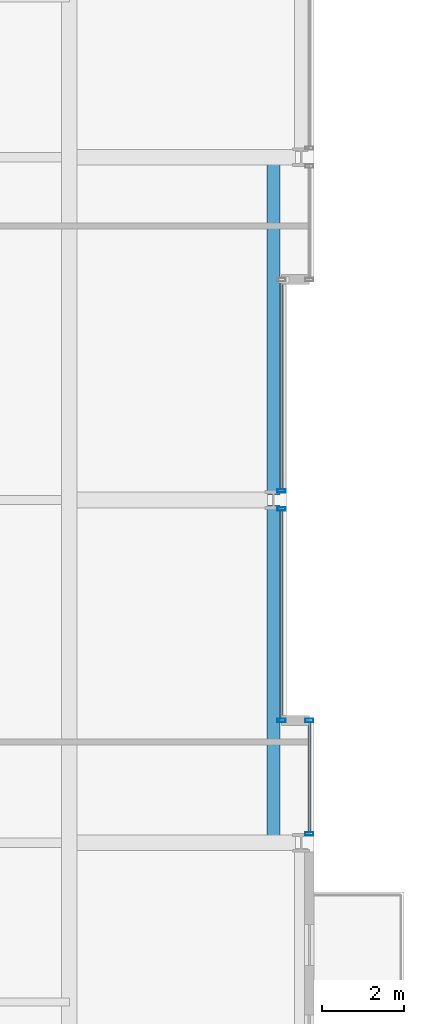
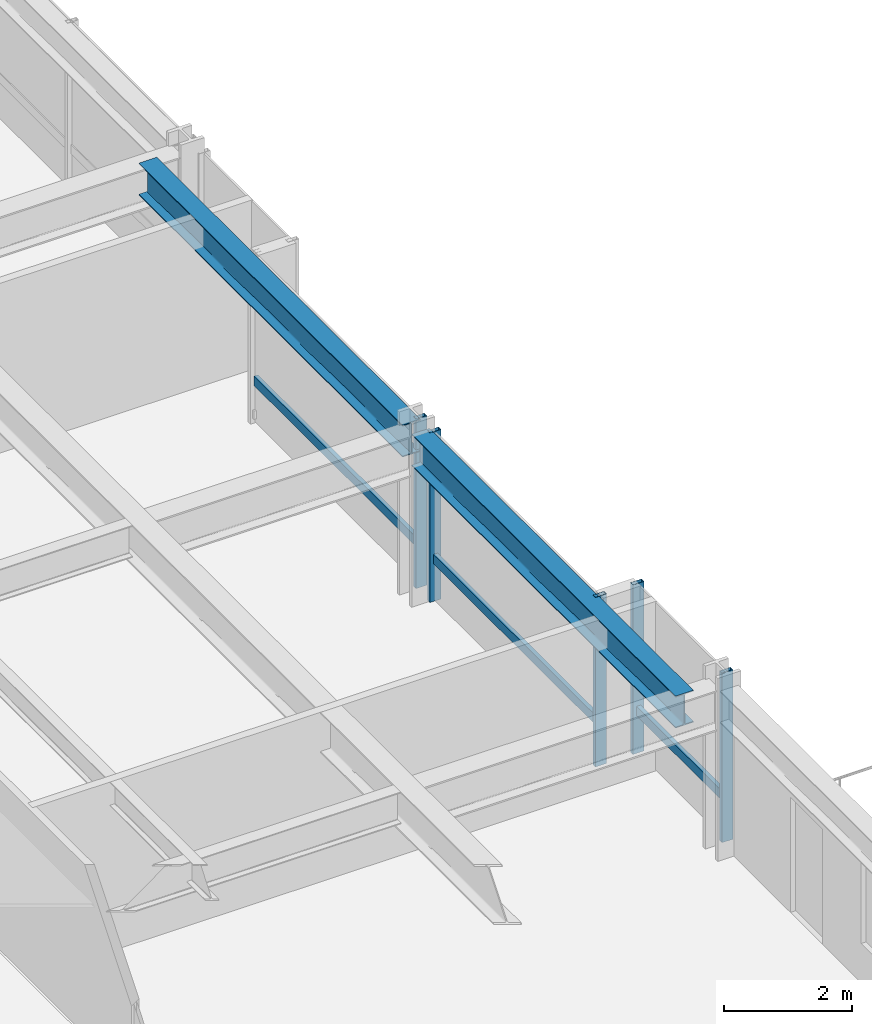
# One storey, part 15 of 34: 8 members, 2 beams, 3 elements without a shape of their own.
"""IFC4 building model written with IfcOpenShell, lengths in metres."""

from ifc_helpers import new_model, si_unit, direction, frame, origin, origin_2d, place, context, subcontext, project, spatial, hollow_rectangle, i_section, extrude, material, layer, layer_set, material_profile, profile_set, type_object, element, aggregate, save


model = new_model("IFC4")

# Units and contexts
model_context = context("Model", 3, precision=1e-05, world=origin(), true_north=direction((0.0, 1.0)))
body_context = subcontext(model_context, "Body", "Model", "MODEL_VIEW")
ifc_project = project(units=[si_unit("LENGTHUNIT", "METRE"), si_unit("AREAUNIT", "SQUARE_METRE"), si_unit("VOLUMEUNIT", "CUBIC_METRE"), si_unit("PLANEANGLEUNIT", "RADIAN"), si_unit("MASSUNIT", "GRAM", prefix="KILO")], contexts=[model_context])

# Site, building, storey
site_placement = place(None, origin())
site = spatial("IfcSite", under=ifc_project, at=site_placement, CompositionType="ELEMENT")
building_placement = place(site_placement, origin())
building = spatial("IfcBuilding", under=site, at=building_placement, Name="Drelvath Grand Hotel", CompositionType="ELEMENT")
storey_placement = place(building_placement, frame((0.0, 0.0, 116.300048828125)))
storey = spatial("IfcBuildingStorey", under=building, at=storey_placement, Name="L29", CompositionType="ELEMENT", Elevation=116.300048828125)

# Curtain wall, member
ifc_material_1 = material(Name="Champagne Bronze Anodised Aluminium Frame", Category="aluminium")
ifc_layer = layer(ifc_material_1, 0.199951171875)
ifc_layer_set = layer_set([ifc_layer], Name="Champagne Bronze Anodised Aluminium Frame")
curtain_wall_type = type_object("IfcCurtainWallType", Name="Stick Curtain Wall CW-03 Champagne Bronze Mid-Rise", PredefinedType="NOTDEFINED", material=ifc_layer_set)
curtain_wall_1_placement = place(storey_placement, origin())
curtain_wall_1 = element("IfcCurtainWall", 1, at=curtain_wall_1_placement, inside=storey, type_object=curtain_wall_type, Name="L29 CW-03 Curtain Wall CW03-L29-EM1", PredefinedType="NOTDEFINED")
ifc_material_profile_1 = material_profile(ifc_material_1, hollow_rectangle(XDim=0.074951171875, YDim=0.179931640625, WallThickness=0.0048828125, at=origin_2d()), Name="HSS180X75X5")
ifc_profile_set_1 = profile_set([ifc_material_profile_1], Name="Champagne Bronze Anodised Aluminium Frame")
member_type_1 = type_object("IfcMemberType", Name="Curtain Wall Horizontal Transom CW-03 HSS180X75X5", PredefinedType="USERDEFINED", material=ifc_profile_set_1)
member_1_placement = place(storey_placement, frame((21.39990234375, 26.740478515625, 0.81005859375), z_axis=(0.0, -1.0, 0.0), x_axis=(1.0, 0.0, 0.0)))
member_1 = element("IfcMember", 2, at=member_1_placement, type_object=member_type_1, Name="CW03-L29-EM1 Sill Transom", ObjectType="TRANSOM", PredefinedType="USERDEFINED", context=body_context, shape_type="SweptSolid", body=[
    extrude(hollow_rectangle(XDim=0.074951171875, YDim=0.179931640625, WallThickness=0.0048828125, at=origin_2d()), origin(), (0.0, 0.0, 1.0), 5.1005859375),
])

curtain_wall_2_placement = place(storey_placement, origin())
curtain_wall_2 = element("IfcCurtainWall", 3, at=curtain_wall_2_placement, inside=storey, type_object=curtain_wall_type, Name="L29 CW-03 Curtain Wall CW03-L29-EM2", PredefinedType="NOTDEFINED")
member_2_placement = place(storey_placement, frame((21.39990234375, 32.360107421875, 0.81005859375), z_axis=(0.0, -1.0, 0.0), x_axis=(1.0, 0.0, 0.0)))
member_2 = element("IfcMember", 4, at=member_2_placement, type_object=member_type_1, Name="CW03-L29-EM2 Sill Transom", ObjectType="TRANSOM", PredefinedType="USERDEFINED", context=body_context, shape_type="SweptSolid", body=[
    extrude(hollow_rectangle(XDim=0.074951171875, YDim=0.179931640625, WallThickness=0.0048828125, at=origin_2d()), origin(), (0.0, 0.0, 1.0), 5.1005859375),
])

curtain_wall_3_placement = place(storey_placement, origin())
curtain_wall_3 = element("IfcCurtainWall", 5, at=curtain_wall_3_placement, inside=storey, type_object=curtain_wall_type, Name="L29 CW-03 Curtain Wall CW03-L29-ES3", PredefinedType="NOTDEFINED")
member_3_placement = place(storey_placement, frame((22.080078125, 21.56005859375, 0.81005859375), z_axis=(0.0, -1.0, 0.0), x_axis=(1.0, 0.0, 0.0)))
member_3 = element("IfcMember", 6, at=member_3_placement, type_object=member_type_1, Name="CW03-L29-ES3 Sill Transom", ObjectType="TRANSOM", PredefinedType="USERDEFINED", context=body_context, shape_type="SweptSolid", body=[
    extrude(hollow_rectangle(XDim=0.074951171875, YDim=0.179931640625, WallThickness=0.0048828125, at=origin_2d()), origin(), (0.0, 0.0, 1.0), 2.700439453125),
])

# Member
ifc_material_profile_2 = material_profile(ifc_material_1, hollow_rectangle(XDim=0.080078125, YDim=0.199951171875, WallThickness=0.0048828125, at=origin_2d()), Name="HSS200X80X5")
ifc_profile_set_2 = profile_set([ifc_material_profile_2], Name="Champagne Bronze Anodised Aluminium Frame")
member_type_2 = type_object("IfcMemberType", Name="Curtain Wall Vertical Mullion CW-03 HSS200X80X5", PredefinedType="MULLION", material=ifc_profile_set_2)
member_4_placement = place(storey_placement, frame((21.39990234375, 26.780517578125, 0.0), z_axis=(0.0, 0.0, 1.0), x_axis=(0.0, 1.0, 0.0)))
member_4 = element("IfcMember", 7, at=member_4_placement, type_object=member_type_2, Name="CW03-L29-EM1 Mullion 1", PredefinedType="MULLION", context=body_context, shape_type="SweptSolid", body=[
    extrude(hollow_rectangle(XDim=0.080078125, YDim=0.199951171875, WallThickness=0.0048828125, at=origin_2d()), origin(), (0.0, 0.0, 1.0), 3.239990234375),
])

member_5_placement = place(storey_placement, frame((21.39990234375, 21.60009765625, 0.0), z_axis=(0.0, 0.0, 1.0), x_axis=(0.0, 1.0, 0.0)))
member_5 = element("IfcMember", 8, at=member_5_placement, type_object=member_type_2, Name="CW03-L29-EM1 Mullion 2", PredefinedType="MULLION", context=body_context, shape_type="SweptSolid", body=[
    extrude(hollow_rectangle(XDim=0.080078125, YDim=0.199951171875, WallThickness=0.0048828125, at=origin_2d()), origin(), (0.0, 0.0, 1.0), 3.239990234375),
])

aggregate(curtain_wall_1, [member_4, member_5, member_1])

member_6_placement = place(storey_placement, frame((21.39990234375, 27.219482421875, 0.0), z_axis=(0.0, 0.0, 1.0), x_axis=(0.0, 1.0, 0.0)))
member_6 = element("IfcMember", 9, at=member_6_placement, type_object=member_type_2, Name="CW03-L29-EM2 Mullion 2", PredefinedType="MULLION", context=body_context, shape_type="SweptSolid", body=[
    extrude(hollow_rectangle(XDim=0.080078125, YDim=0.199951171875, WallThickness=0.0048828125, at=origin_2d()), origin(), (0.0, 0.0, 1.0), 3.239990234375),
])

aggregate(curtain_wall_2, [member_6, member_2])

member_7_placement = place(storey_placement, frame((22.080078125, 21.60009765625, 0.0), z_axis=(0.0, 0.0, 1.0), x_axis=(0.0, 1.0, 0.0)))
member_7 = element("IfcMember", 10, at=member_7_placement, type_object=member_type_2, Name="CW03-L29-ES3 Mullion 1", PredefinedType="MULLION", context=body_context, shape_type="SweptSolid", body=[
    extrude(hollow_rectangle(XDim=0.080078125, YDim=0.199951171875, WallThickness=0.0048828125, at=origin_2d()), origin(), (0.0, 0.0, 1.0), 3.239990234375),
])

member_8_placement = place(storey_placement, frame((22.080078125, 18.819580078125, 0.0), z_axis=(0.0, 0.0, 1.0), x_axis=(0.0, 1.0, 0.0)))
member_8 = element("IfcMember", 11, at=member_8_placement, type_object=member_type_2, Name="CW03-L29-ES3 Mullion 2", PredefinedType="MULLION", context=body_context, shape_type="SweptSolid", body=[
    extrude(hollow_rectangle(XDim=0.080078125, YDim=0.199951171875, WallThickness=0.0048828125, at=origin_2d()), origin(), (0.0, 0.0, 1.0), 3.239990234375),
])

aggregate(curtain_wall_3, [member_7, member_8, member_3])

# Beams
ifc_material_2 = material(Name="Steel ASTM A992 Gr 50", Category="steel")
ifc_material_profile_3 = material_profile(ifc_material_2, i_section(OverallWidth=0.323974609375, OverallDepth=0.611083984375, WebThickness=0.0126953125, FlangeThickness=0.01904296875, FilletRadius=0.02197265625, at=origin_2d()), Name="W24X104")
ifc_profile_set_3 = profile_set([ifc_material_profile_3], Name="Steel ASTM A992 Gr 50")
beam_type = type_object("IfcBeamType", Name="Perimeter Spandrel Beam W24X104", PredefinedType="SPANDREL", material=ifc_profile_set_3)
for number, where, z_axis, x_axis, name in (
    (12, (21.199951171875, 18.60009765625, 2.9345703125), (0.0, 1.0, 0.0), (-1.0, 0.0, 0.0), "L29 Spandrel East Mid S"),
    (13, (21.199951171875, 27.139892578125, 2.9345703125), (0.0, 1.0, 0.0), (-1.0, 0.0, 0.0), "L29 Spandrel East Mid N"),
):
    element("IfcBeam", number, at=place(storey_placement, frame(where, z_axis=z_axis, x_axis=x_axis)), inside=storey, type_object=beam_type, Name=name, PredefinedType="SPANDREL", context=body_context, shape_type="SweptSolid", body=[
        extrude(i_section(OverallWidth=0.323974609375, OverallDepth=0.611083984375, WebThickness=0.0126953125, FlangeThickness=0.01904296875, FilletRadius=0.02197265625, at=origin_2d()), origin(), (0.0, 0.0, 1.0), 8.260009765625),
    ])

save(model, "model.ifc")
